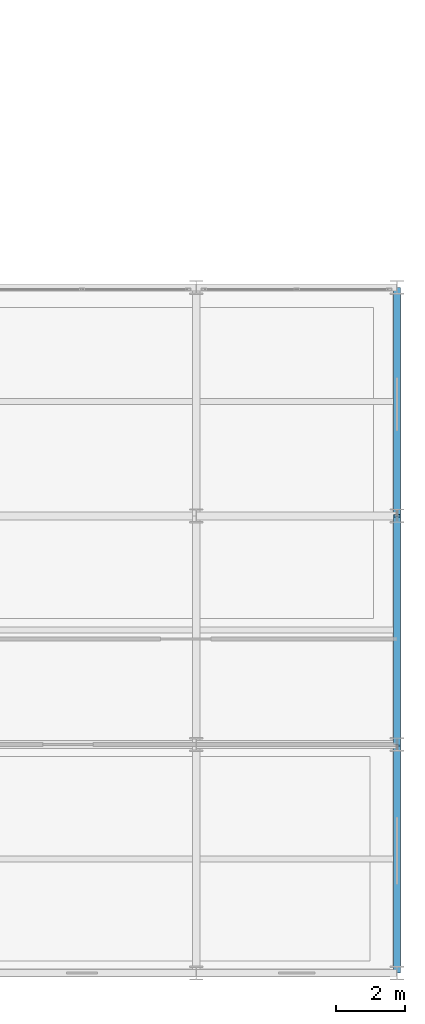
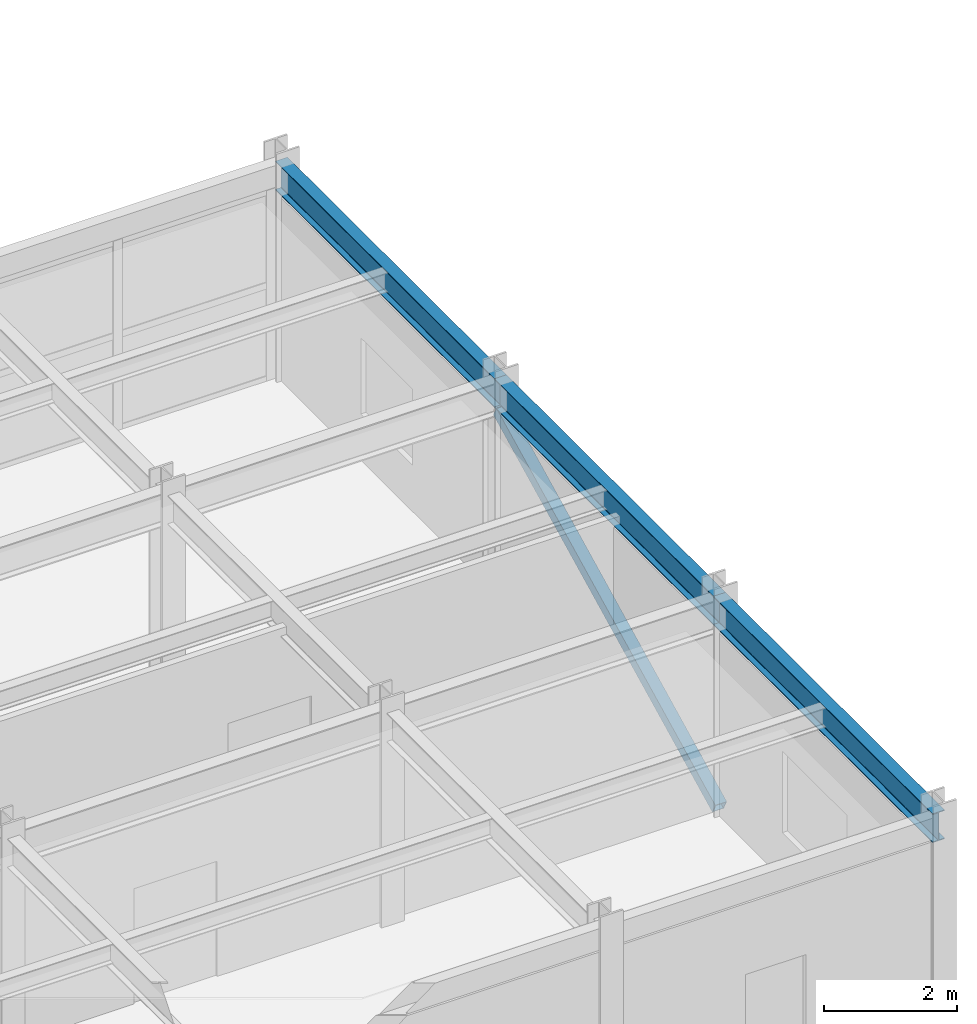
# One storey, part 95 of 147: 3 beams, 1 member.
"""IFC4 building model written with IfcOpenShell, lengths in metres."""

import ifcopenshell
import ifcopenshell.guid

model = None  # the IFC model being written
_history = None  # IfcOwnerHistory: only IFC2X3 demands one
_inside = {}  # id of a spatial element -> (the spatial element, [elements in it])
_under = {}  # id of a project, library or spatial element -> (it, [spatial elements below it])
_declared = {}  # id of a project -> (the project, [libraries it declares])
_typed = {}  # id of a type object -> (the type object, [elements of that type])
_made_of = {}  # id of a material, layer set ... -> (it, [elements and type objects made of it])


def new_model(schema):
    """Start an empty IFC model of exactly this schema.

    Asked for "IFC4X3", IfcOpenShell would pick the latest addendum, in which some entities
    have other attributes; the version numbers below select the first issue.
    IFC2X3 requires an IfcOwnerHistory on every rooted entity: one is made here for all.
    """
    global model, _history
    if schema == "IFC4X3":
        model = ifcopenshell.file(schema_version=(4, 3, 0, 0))
    else:
        model = ifcopenshell.file(schema=schema)
    _inside.clear()
    _under.clear()
    _declared.clear()
    _typed.clear()
    _made_of.clear()
    _history = None
    if model.schema == "IFC2X3":
        org = make("IfcOrganization", Name="unknown")
        user = make(
            "IfcPersonAndOrganization",
            ThePerson=make("IfcPerson", FamilyName="unknown"),
            TheOrganization=org,
        )
        app = make(
            "IfcApplication",
            ApplicationDeveloper=org,
            Version="unknown",
            ApplicationFullName="unknown",
            ApplicationIdentifier="unknown",
        )
        _history = make(
            "IfcOwnerHistory",
            OwningUser=user,
            OwningApplication=app,
            ChangeAction="ADDED",
            CreationDate=0,
        )
    return model


def make(cls, **values):
    """One entity of the class cls with the attributes given. An attribute that is None is left unset."""
    return model.create_entity(
        cls, **{name: value for name, value in values.items() if value is not None}
    )


def rooted(cls, **values):
    """An entity with a GlobalId (a new one), such as an element, a storey or a relation."""
    return make(cls, GlobalId=ifcopenshell.guid.new(), OwnerHistory=_history, **values)


def si_unit(unit_type, name, prefix=None):
    """IfcSIUnit, for example si_unit("LENGTHUNIT", "METRE", prefix="MILLI")."""
    return make("IfcSIUnit", UnitType=unit_type, Prefix=prefix, Name=name)


def assignment(units):
    """IfcUnitAssignment: the units of a project."""
    return None if units is None else make("IfcUnitAssignment", Units=units)


def point(xyz):
    """IfcCartesianPoint."""
    return None if xyz is None else make("IfcCartesianPoint", Coordinates=xyz)


def direction(xyz):
    """IfcDirection."""
    return None if xyz is None else make("IfcDirection", DirectionRatios=xyz)


def frame(location, z_axis=None, x_axis=None):
    """IfcAxis2Placement3D, a coordinate frame: its origin and axes. An axis left out is left unset."""
    return make(
        "IfcAxis2Placement3D",
        Location=point(location),
        Axis=direction(z_axis),
        RefDirection=direction(x_axis),
    )


def frame_2d(location, x_axis=None):
    """IfcAxis2Placement2D, a coordinate frame in the plane: its origin and x axis."""
    return make(
        "IfcAxis2Placement2D", Location=point(location), RefDirection=direction(x_axis)
    )


def origin():
    """The frame at (0, 0, 0) with its axes left unset."""
    return frame((0.0, 0.0, 0.0))


def origin_2d():
    """The frame at (0, 0) in the plane with its x axis left unset."""
    return frame_2d((0.0, 0.0))


def place(relative_to, where):
    """IfcLocalPlacement: puts the frame where relative to a parent placement (None: the world)."""
    return make(
        "IfcLocalPlacement", PlacementRelTo=relative_to, RelativePlacement=where
    )


def context(
    kind, dimensions, precision=None, world=None, true_north=None, identifier=None
):
    """IfcGeometricRepresentationContext, for example the 3D "Model" context."""
    return make(
        "IfcGeometricRepresentationContext",
        ContextIdentifier=identifier,
        ContextType=kind,
        CoordinateSpaceDimension=dimensions,
        Precision=precision,
        WorldCoordinateSystem=world,
        TrueNorth=true_north,
    )


def subcontext(parent, identifier, kind, view, scale=None):
    """IfcGeometricRepresentationSubContext, for example "Body" below "Model"."""
    return make(
        "IfcGeometricRepresentationSubContext",
        ContextIdentifier=identifier,
        ContextType=kind,
        ParentContext=parent,
        TargetScale=scale,
        TargetView=view,
    )


def project(units=None, contexts=None):
    """IfcProject with its units and contexts."""
    return rooted(
        "IfcProject",
        Name="project",
        RepresentationContexts=contexts,
        UnitsInContext=assignment(units),
    )


def spatial(cls, under=None, at=None, **own):
    """A site, building, storey or space (cls), placed at a placement, below another one or the project."""
    s = rooted(cls, ObjectPlacement=at, **own)
    if under is not None:
        _under.setdefault(under.id(), (under, []))[1].append(s)
    return s


def profile(cls, at=None, kind="AREA", **sizes):
    """A parametric profile (cls). Its sizes go by their IFC names, for example OverallWidth=200.0."""
    return make(cls, ProfileType=kind, Position=at, **sizes)


def hollow_rectangle(**sizes):
    """IfcRectangleHollowProfileDef."""
    return profile("IfcRectangleHollowProfileDef", **sizes)


def i_section(**sizes):
    """IfcIShapeProfileDef."""
    return profile("IfcIShapeProfileDef", **sizes)


def extrude(swept, where, along, depth):
    """IfcExtrudedAreaSolid: the profile swept, set in the frame where, extruded along a direction by depth."""
    return make(
        "IfcExtrudedAreaSolid",
        SweptArea=swept,
        Position=where,
        ExtrudedDirection=direction(along),
        Depth=depth,
    )


def shape(context_of_items, identifier, shape_type, items):
    """IfcShapeRepresentation: the items that make up one representation, for example the "Body"."""
    return make(
        "IfcShapeRepresentation",
        ContextOfItems=context_of_items,
        RepresentationIdentifier=identifier,
        RepresentationType=shape_type,
        Items=items,
    )


def material(Name=None, Category=None):
    """IfcMaterial."""
    return make("IfcMaterial", Name=Name, Category=Category)


def material_profile(
    of_material, cross_section, Name=None, Category=None, Priority=None
):
    """IfcMaterialProfile: a cross section and its material."""
    return make(
        "IfcMaterialProfile",
        Name=Name,
        Material=of_material,
        Profile=cross_section,
        Priority=Priority,
        Category=Category,
    )


def profile_set(profiles, Name=None, composite=None):
    """IfcMaterialProfileSet."""
    return make(
        "IfcMaterialProfileSet",
        Name=Name,
        MaterialProfiles=profiles,
        CompositeProfile=composite,
    )


def made_of(thing, what):
    """Note that an element or type object is made of a material, layer set ...; save() writes the relation."""
    if what is not None:
        _made_of.setdefault(what.id(), (what, []))[1].append(thing)
    return thing


def type_object(cls, material=None, **own):
    """A type object (cls), such as IfcWallType, which elements share."""
    return made_of(rooted(cls, **own), material)


def element(
    cls,
    number,
    at=None,
    inside=None,
    cuts=None,
    type_object=None,
    material=None,
    context=None,
    identifier="Body",
    shape_type=None,
    held_by="IfcProductDefinitionShape",
    body=None,
    shapes=None,
    **own,
):
    """One element of the class cls, such as IfcWall. Its Tag is "e" and its number.

    at: its placement. inside: the storey or other place that contains it. cuts: it is an
    opening in that element (IfcRelVoidsElement). A single representation is given by context,
    identifier, shape_type and body (its items); several are given by shapes. held_by: the class
    of the entity that holds the representations. save() writes the other relations.
    """
    e = rooted(cls, Tag="e%d" % number, ObjectPlacement=at, **own)
    if body is not None:
        shapes = [shape(context, identifier, shape_type, body)]
    if shapes is not None:
        e.Representation = make(held_by, Representations=shapes)
    if inside is not None:
        _inside.setdefault(inside.id(), (inside, []))[1].append(e)
    if cuts is not None:
        rooted(
            "IfcRelVoidsElement", RelatingBuildingElement=cuts, RelatedOpeningElement=e
        )
    if type_object is not None:
        _typed.setdefault(type_object.id(), (type_object, []))[1].append(e)
    return made_of(e, material)


def aggregate(whole, parts):
    """IfcRelAggregates: a whole, such as a stair, and the parts it consists of."""
    return rooted("IfcRelAggregates", RelatingObject=whole, RelatedObjects=parts)


def save(model, path):
    """Write the relations noted so far, then the file.

    IfcRelAggregates (storeys below a building ...), IfcRelContainedInSpatialStructure (elements
    in a storey), IfcRelDefinesByType, IfcRelAssociatesMaterial and IfcRelDeclares: one each for
    every whole, place, type object, material and project.
    """
    for whole, parts in _under.values():
        aggregate(whole, parts)
    for where, things in _inside.values():
        rooted(
            "IfcRelContainedInSpatialStructure",
            RelatedElements=things,
            RelatingStructure=where,
        )
    for kind, things in _typed.values():
        rooted("IfcRelDefinesByType", RelatedObjects=things, RelatingType=kind)
    for what, things in _made_of.values():
        rooted("IfcRelAssociatesMaterial", RelatedObjects=things, RelatingMaterial=what)
    for by, libraries in _declared.values():
        rooted("IfcRelDeclares", RelatingContext=by, RelatedDefinitions=libraries)
    model.write(path)


model = new_model("IFC4")

# Units and contexts
model_context = context("Model", 3, precision=1e-05, world=origin(), true_north=direction((0.0, 1.0)))
body_context = subcontext(model_context, "Body", "Model", "MODEL_VIEW")
ifc_project = project(units=[si_unit("LENGTHUNIT", "METRE"), si_unit("AREAUNIT", "SQUARE_METRE"), si_unit("VOLUMEUNIT", "CUBIC_METRE"), si_unit("PLANEANGLEUNIT", "RADIAN"), si_unit("MASSUNIT", "GRAM", prefix="KILO")], contexts=[model_context])

# Site, building, storey
site_placement = place(None, origin())
site = spatial("IfcSite", under=ifc_project, at=site_placement, CompositionType="ELEMENT")
building_placement = place(site_placement, origin())
building = spatial("IfcBuilding", under=site, at=building_placement, Name="Karori Crest Natural Sciences Institute", CompositionType="ELEMENT")
storey_placement = place(building_placement, frame((0.0, 0.0, 9.10009765625)))
storey = spatial("IfcBuildingStorey", under=building, at=storey_placement, Name="L02", CompositionType="ELEMENT", Elevation=9.10009765625)

# Beams
ifc_material_1 = material(Name="Structural steel AS/NZS 3679.1 Grade 350", Category="steel")
ifc_material_profile_1 = material_profile(ifc_material_1, i_section(OverallWidth=0.208984375, OverallDepth=0.532958984375, WebThickness=0.01025390625, FlangeThickness=0.015625, FilletRadius=0.013916015625, at=origin_2d()), Name="530UB92.4")
ifc_profile_set_1 = profile_set([ifc_material_profile_1], Name="Structural steel AS/NZS 3679.1 Grade 350")
beam_type = type_object("IfcBeamType", Name="BT-05-EL", PredefinedType="BEAM", material=ifc_profile_set_1)
beam_placement = place(storey_placement, frame((162.199951171875, 0.800048828125, 3.6533203125), z_axis=(0.0, 1.0, 0.0), x_axis=(-1.0, 0.0, 0.0)))
element("IfcBeam", 1, at=beam_placement, inside=storey, type_object=beam_type, Name="Beam B-2256", PredefinedType="BEAM", context=body_context, shape_type="SweptSolid", body=[
    extrude(i_section(OverallWidth=0.208984375, OverallDepth=0.532958984375, WebThickness=0.01025390625, FlangeThickness=0.015625, FilletRadius=0.013916015625, at=origin_2d()), origin(), (0.0, 0.0, 1.0), 6.599853515625),
])
for number, where, z_axis, x_axis, name in (
    (2, (162.199951171875, 7.39990234375, 3.6533203125), (0.0, 1.0, 0.0), (-1.0, 0.0, 0.0), "Beam B-2257"),
    (3, (162.199951171875, 14.0, 3.6533203125), (0.0, 1.0, 0.0), (-1.0, 0.0, 0.0), "Beam B-2258"),
):
    element("IfcBeam", number, at=place(storey_placement, frame(where, z_axis=z_axis, x_axis=x_axis)), inside=storey, type_object=beam_type, Name=name, PredefinedType="BEAM", context=body_context, shape_type="SweptSolid", body=[
        extrude(i_section(OverallWidth=0.208984375, OverallDepth=0.532958984375, WebThickness=0.01025390625, FlangeThickness=0.015625, FilletRadius=0.013916015625, at=origin_2d()), origin(), (0.0, 0.0, 1.0), 6.60009765625),
    ])

# Member
ifc_material_2 = material(Name="Hollow structural steel AS/NZS 1163 Grade C350", Category="steel")
ifc_material_profile_2 = material_profile(ifc_material_2, hollow_rectangle(XDim=0.199951171875, YDim=0.199951171875, WallThickness=0.010009765625, at=origin_2d()), Name="SHS200x200x10")
ifc_profile_set_2 = profile_set([ifc_material_profile_2], Name="Hollow structural steel AS/NZS 1163 Grade C350")
member_type = type_object("IfcMemberType", Name="MT-04", PredefinedType="BRACE", material=ifc_profile_set_2)
member_placement = place(storey_placement, frame((162.199951171875, 7.39990234375, 0.010009765625), z_axis=(0.0, 0.894003499504, 0.448059976873), x_axis=(-1.0, 0.0, 0.0)))
element("IfcMember", 4, at=member_placement, inside=storey, type_object=member_type, Name="Diagonal Brace M-0444", PredefinedType="BRACE", context=body_context, shape_type="SweptSolid", body=[
    extrude(hollow_rectangle(XDim=0.199951171875, YDim=0.199951171875, WallThickness=0.010009765625, at=origin_2d()), origin(), (0.0, 0.0, 1.0), 7.382568359375),
])

save(model, "model.ifc")
